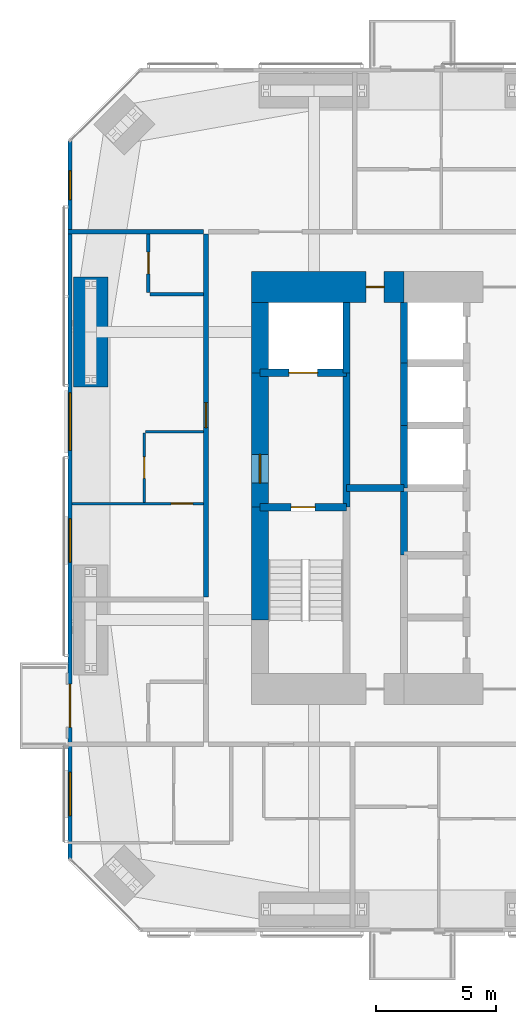
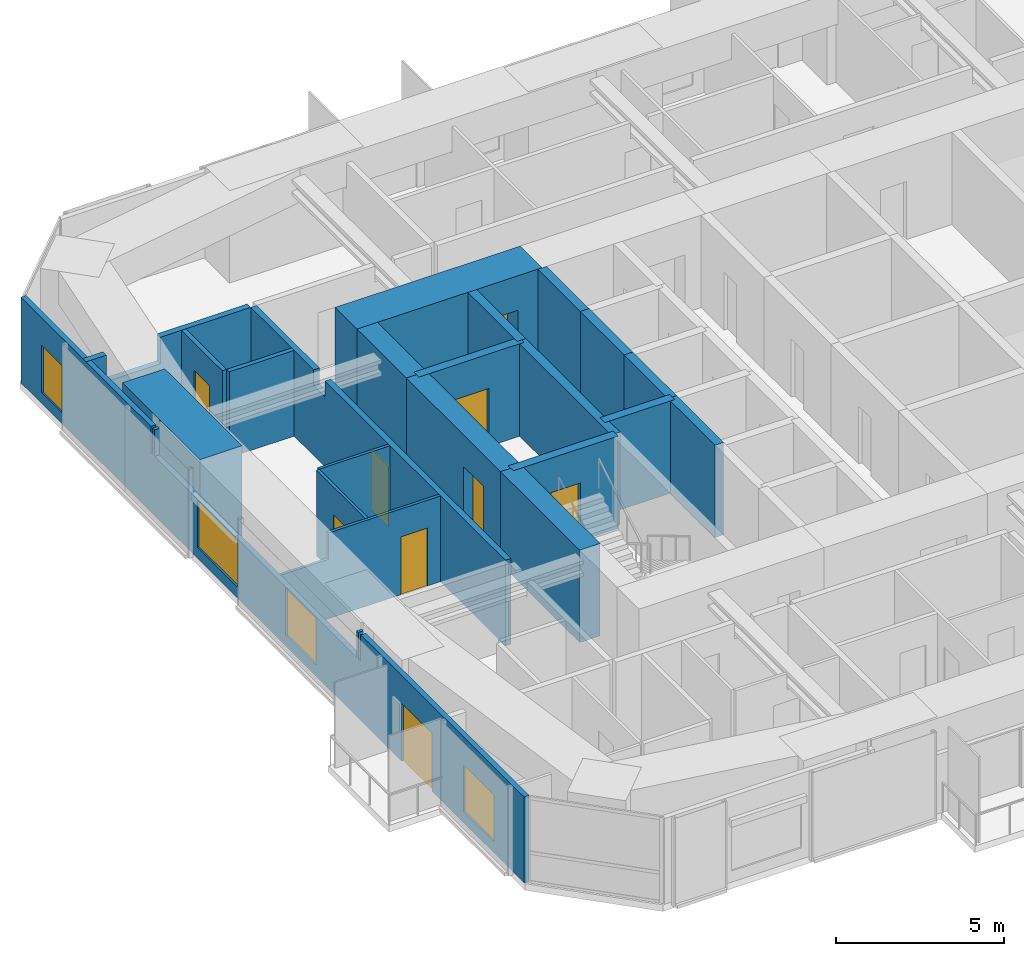
# One storey, part 17 of 22: 22 walls, 9 doors, 4 windows, 13 openings.
"""IFC4 building model written with IfcOpenShell, lengths in metres."""

import ifcopenshell
import ifcopenshell.guid

model = None  # the IFC model being written
_history = None  # IfcOwnerHistory: only IFC2X3 demands one
_inside = {}  # id of a spatial element -> (the spatial element, [elements in it])
_under = {}  # id of a project, library or spatial element -> (it, [spatial elements below it])
_declared = {}  # id of a project -> (the project, [libraries it declares])
_typed = {}  # id of a type object -> (the type object, [elements of that type])
_made_of = {}  # id of a material, layer set ... -> (it, [elements and type objects made of it])


def new_model(schema):
    """Start an empty IFC model of exactly this schema.

    Asked for "IFC4X3", IfcOpenShell would pick the latest addendum, in which some entities
    have other attributes; the version numbers below select the first issue.
    IFC2X3 requires an IfcOwnerHistory on every rooted entity: one is made here for all.
    """
    global model, _history
    if schema == "IFC4X3":
        model = ifcopenshell.file(schema_version=(4, 3, 0, 0))
    else:
        model = ifcopenshell.file(schema=schema)
    _inside.clear()
    _under.clear()
    _declared.clear()
    _typed.clear()
    _made_of.clear()
    _history = None
    if model.schema == "IFC2X3":
        org = make("IfcOrganization", Name="unknown")
        user = make(
            "IfcPersonAndOrganization",
            ThePerson=make("IfcPerson", FamilyName="unknown"),
            TheOrganization=org,
        )
        app = make(
            "IfcApplication",
            ApplicationDeveloper=org,
            Version="unknown",
            ApplicationFullName="unknown",
            ApplicationIdentifier="unknown",
        )
        _history = make(
            "IfcOwnerHistory",
            OwningUser=user,
            OwningApplication=app,
            ChangeAction="ADDED",
            CreationDate=0,
        )
    return model


def make(cls, **values):
    """One entity of the class cls with the attributes given. An attribute that is None is left unset."""
    return model.create_entity(
        cls, **{name: value for name, value in values.items() if value is not None}
    )


def rooted(cls, **values):
    """An entity with a GlobalId (a new one), such as an element, a storey or a relation."""
    return make(cls, GlobalId=ifcopenshell.guid.new(), OwnerHistory=_history, **values)


def si_unit(unit_type, name, prefix=None):
    """IfcSIUnit, for example si_unit("LENGTHUNIT", "METRE", prefix="MILLI")."""
    return make("IfcSIUnit", UnitType=unit_type, Prefix=prefix, Name=name)


def assignment(units):
    """IfcUnitAssignment: the units of a project."""
    return None if units is None else make("IfcUnitAssignment", Units=units)


def point(xyz):
    """IfcCartesianPoint."""
    return None if xyz is None else make("IfcCartesianPoint", Coordinates=xyz)


def direction(xyz):
    """IfcDirection."""
    return None if xyz is None else make("IfcDirection", DirectionRatios=xyz)


def frame(location, z_axis=None, x_axis=None):
    """IfcAxis2Placement3D, a coordinate frame: its origin and axes. An axis left out is left unset."""
    return make(
        "IfcAxis2Placement3D",
        Location=point(location),
        Axis=direction(z_axis),
        RefDirection=direction(x_axis),
    )


def frame_2d(location, x_axis=None):
    """IfcAxis2Placement2D, a coordinate frame in the plane: its origin and x axis."""
    return make(
        "IfcAxis2Placement2D", Location=point(location), RefDirection=direction(x_axis)
    )


def origin():
    """The frame at (0, 0, 0) with its axes left unset."""
    return frame((0.0, 0.0, 0.0))


def place(relative_to, where):
    """IfcLocalPlacement: puts the frame where relative to a parent placement (None: the world)."""
    return make(
        "IfcLocalPlacement", PlacementRelTo=relative_to, RelativePlacement=where
    )


def context(
    kind, dimensions, precision=None, world=None, true_north=None, identifier=None
):
    """IfcGeometricRepresentationContext, for example the 3D "Model" context."""
    return make(
        "IfcGeometricRepresentationContext",
        ContextIdentifier=identifier,
        ContextType=kind,
        CoordinateSpaceDimension=dimensions,
        Precision=precision,
        WorldCoordinateSystem=world,
        TrueNorth=true_north,
    )


def subcontext(parent, identifier, kind, view, scale=None):
    """IfcGeometricRepresentationSubContext, for example "Body" below "Model"."""
    return make(
        "IfcGeometricRepresentationSubContext",
        ContextIdentifier=identifier,
        ContextType=kind,
        ParentContext=parent,
        TargetScale=scale,
        TargetView=view,
    )


def project(units=None, contexts=None):
    """IfcProject with its units and contexts."""
    return rooted(
        "IfcProject",
        Name="project",
        RepresentationContexts=contexts,
        UnitsInContext=assignment(units),
    )


def spatial(cls, under=None, at=None, **own):
    """A site, building, storey or space (cls), placed at a placement, below another one or the project."""
    s = rooted(cls, ObjectPlacement=at, **own)
    if under is not None:
        _under.setdefault(under.id(), (under, []))[1].append(s)
    return s


def polyline(points):
    """IfcPolyline through the points."""
    return make("IfcPolyline", Points=[point(p) for p in points])


def profile(cls, at=None, kind="AREA", **sizes):
    """A parametric profile (cls). Its sizes go by their IFC names, for example OverallWidth=200.0."""
    return make(cls, ProfileType=kind, Position=at, **sizes)


def rectangle(**sizes):
    """IfcRectangleProfileDef."""
    return profile("IfcRectangleProfileDef", **sizes)


def outline(outer, holes=None, kind="AREA"):
    """IfcArbitraryClosedProfileDef: a profile drawn as a closed curve; with holes, ...WithVoids."""
    if holes is None:
        return make("IfcArbitraryClosedProfileDef", ProfileType=kind, OuterCurve=outer)
    return make(
        "IfcArbitraryProfileDefWithVoids",
        ProfileType=kind,
        OuterCurve=outer,
        InnerCurves=holes,
    )


def extrude(swept, where, along, depth):
    """IfcExtrudedAreaSolid: the profile swept, set in the frame where, extruded along a direction by depth."""
    return make(
        "IfcExtrudedAreaSolid",
        SweptArea=swept,
        Position=where,
        ExtrudedDirection=direction(along),
        Depth=depth,
    )


def shape(context_of_items, identifier, shape_type, items):
    """IfcShapeRepresentation: the items that make up one representation, for example the "Body"."""
    return make(
        "IfcShapeRepresentation",
        ContextOfItems=context_of_items,
        RepresentationIdentifier=identifier,
        RepresentationType=shape_type,
        Items=items,
    )


def material(Name=None, Category=None):
    """IfcMaterial."""
    return make("IfcMaterial", Name=Name, Category=Category)


def layer(
    of_material, thickness, ventilated=None, Name=None, Category=None, Priority=None
):
    """IfcMaterialLayer: one layer of a wall or slab, of a material (None: an air gap)."""
    return make(
        "IfcMaterialLayer",
        Material=of_material,
        LayerThickness=thickness,
        IsVentilated=ventilated,
        Name=Name,
        Category=Category,
        Priority=Priority,
    )


def layer_set(layers, Name=None):
    """IfcMaterialLayerSet."""
    return make("IfcMaterialLayerSet", MaterialLayers=layers, LayerSetName=Name)


def constituent(of_material, Name=None, Category=None, fraction=None):
    """IfcMaterialConstituent: one of the materials an element consists of."""
    return make(
        "IfcMaterialConstituent",
        Name=Name,
        Material=of_material,
        Fraction=fraction,
        Category=Category,
    )


def constituent_set(constituents=None, Name=None):
    """IfcMaterialConstituentSet."""
    return make(
        "IfcMaterialConstituentSet", Name=Name, MaterialConstituents=constituents
    )


def made_of(thing, what):
    """Note that an element or type object is made of a material, layer set ...; save() writes the relation."""
    if what is not None:
        _made_of.setdefault(what.id(), (what, []))[1].append(thing)
    return thing


def type_object(cls, material=None, **own):
    """A type object (cls), such as IfcWallType, which elements share."""
    return made_of(rooted(cls, **own), material)


def element(
    cls,
    number,
    at=None,
    inside=None,
    cuts=None,
    type_object=None,
    material=None,
    context=None,
    identifier="Body",
    shape_type=None,
    held_by="IfcProductDefinitionShape",
    body=None,
    shapes=None,
    **own,
):
    """One element of the class cls, such as IfcWall. Its Tag is "e" and its number.

    at: its placement. inside: the storey or other place that contains it. cuts: it is an
    opening in that element (IfcRelVoidsElement). A single representation is given by context,
    identifier, shape_type and body (its items); several are given by shapes. held_by: the class
    of the entity that holds the representations. save() writes the other relations.
    """
    e = rooted(cls, Tag="e%d" % number, ObjectPlacement=at, **own)
    if body is not None:
        shapes = [shape(context, identifier, shape_type, body)]
    if shapes is not None:
        e.Representation = make(held_by, Representations=shapes)
    if inside is not None:
        _inside.setdefault(inside.id(), (inside, []))[1].append(e)
    if cuts is not None:
        rooted(
            "IfcRelVoidsElement", RelatingBuildingElement=cuts, RelatedOpeningElement=e
        )
    if type_object is not None:
        _typed.setdefault(type_object.id(), (type_object, []))[1].append(e)
    return made_of(e, material)


def fill(opening, filler):
    """IfcRelFillsElement: the door or window that sits in an opening."""
    return rooted(
        "IfcRelFillsElement",
        RelatingOpeningElement=opening,
        RelatedBuildingElement=filler,
    )


def aggregate(whole, parts):
    """IfcRelAggregates: a whole, such as a stair, and the parts it consists of."""
    return rooted("IfcRelAggregates", RelatingObject=whole, RelatedObjects=parts)


def save(model, path):
    """Write the relations noted so far, then the file.

    IfcRelAggregates (storeys below a building ...), IfcRelContainedInSpatialStructure (elements
    in a storey), IfcRelDefinesByType, IfcRelAssociatesMaterial and IfcRelDeclares: one each for
    every whole, place, type object, material and project.
    """
    for whole, parts in _under.values():
        aggregate(whole, parts)
    for where, things in _inside.values():
        rooted(
            "IfcRelContainedInSpatialStructure",
            RelatedElements=things,
            RelatingStructure=where,
        )
    for kind, things in _typed.values():
        rooted("IfcRelDefinesByType", RelatedObjects=things, RelatingType=kind)
    for what, things in _made_of.values():
        rooted("IfcRelAssociatesMaterial", RelatedObjects=things, RelatingMaterial=what)
    for by, libraries in _declared.values():
        rooted("IfcRelDeclares", RelatingContext=by, RelatedDefinitions=libraries)
    model.write(path)


model = new_model("IFC4")

# Units and contexts
model_context = context("Model", 3, precision=1e-05, world=origin(), true_north=direction((0.0, 1.0)))
body_context = subcontext(model_context, "Body", "Model", "MODEL_VIEW")
ifc_project = project(units=[si_unit("LENGTHUNIT", "METRE"), si_unit("AREAUNIT", "SQUARE_METRE"), si_unit("VOLUMEUNIT", "CUBIC_METRE"), si_unit("PLANEANGLEUNIT", "RADIAN"), si_unit("MASSUNIT", "GRAM", prefix="KILO")], contexts=[model_context])

# Site, building, storey
site_placement = place(None, origin())
site = spatial("IfcSite", under=ifc_project, at=site_placement, CompositionType="ELEMENT")
building_placement = place(site_placement, origin())
building = spatial("IfcBuilding", under=site, at=building_placement, Name="Jalousie Tower", CompositionType="ELEMENT")
storey_placement = place(building_placement, frame((0.0, 0.0, 174.449951171875)))
storey = spatial("IfcBuildingStorey", under=building, at=storey_placement, Name="L47", CompositionType="ELEMENT", Elevation=174.449951171875)

# Wall, opening, door
ifc_material_1 = material(Name="Concrete block ASTM C90", Category="concrete")
ifc_constituent_1 = constituent(ifc_material_1, Name="Body")
ifc_material_2 = material(Name="Render")
ifc_constituent_2 = constituent(ifc_material_2, Name="Finish")
ifc_constituent_set_1 = constituent_set(constituents=[ifc_constituent_1, ifc_constituent_2])
wall_type_1 = type_object("IfcWallType", Name="BATHROOM WALL 150", PredefinedType="PLUMBINGWALL", material=ifc_constituent_set_1)
wall_1_placement = place(storey_placement, frame((15.35009765625, 26.64990234375, 0.0), z_axis=(0.0, 0.0, 1.0), x_axis=(0.0, 1.0, 0.0)))
wall_1 = element("IfcWall", 1, at=wall_1_placement, inside=storey, type_object=wall_type_1, Name="Bathroom Wall 150 L47", PredefinedType="PLUMBINGWALL", context=body_context, shape_type="SweptSolid", body=[
    extrude(rectangle(XDim=2.425048828125, YDim=0.14990234375, at=frame_2d((1.21240234375, 0.0))), origin(), (0.0, 0.0, 1.0), 3.110107421875),
])
opening_1_placement = place(wall_1_placement, frame((0.77490234375, 0.0, 0.0)))
opening_1 = element("IfcOpeningElement", 2, at=opening_1_placement, cuts=wall_1, Name="Opening D3", PredefinedType="OPENING", context=body_context, shape_type="SweptSolid", body=[
    extrude(rectangle(XDim=0.89990234375, YDim=2.10009765625, at=frame_2d((0.449951171875, 1.050048828125))), frame((0.0, 0.0849609375, 0.0), z_axis=(0.0, -1.0, 0.0), x_axis=(1.0, 0.0, 0.0)), (0.0, 0.0, 1.0), 0.169921875),
])
ifc_material_3 = material(Name="Timber door", Category="wood")
door_type_1 = type_object("IfcDoorType", Name="BATHROOM DOOR 900", OperationType="SINGLE_SWING_LEFT", PredefinedType="DOOR", material=ifc_material_3)
door_1_placement = place(opening_1_placement, frame((0.89990234375, 0.0, 0.0), z_axis=(0.0, 0.0, 1.0), x_axis=(-1.0, 0.0, 0.0)))
door_1 = element("IfcDoor", 3, at=door_1_placement, inside=storey, type_object=door_type_1, Name="Apartment 4706 bathroom door", OperationType="SINGLE_SWING_LEFT", OverallHeight=2.10009765625, OverallWidth=0.89990234375, PredefinedType="DOOR", context=body_context, shape_type="SweptSolid", body=[
    extrude(rectangle(XDim=0.89990234375, YDim=2.10009765625, at=frame_2d((0.449951171875, 1.050048828125))), frame((0.0, 0.02490234375, 0.0), z_axis=(0.0, -1.0, 0.0), x_axis=(1.0, 0.0, 0.0)), (0.0, 0.0, 1.0), 0.050048828125),
])
fill(opening_1, door_1)

# Wall
wall_2_placement = place(storey_placement, frame((15.425048828125, 26.574951171875, 0.0), z_axis=(0.0, 0.0, 1.0), x_axis=(1.0, 0.0, 0.0)))
element("IfcWall", 4, at=wall_2_placement, inside=storey, type_object=wall_type_1, Name="Bathroom Wall 150 L47", PredefinedType="PLUMBINGWALL", context=body_context, shape_type="SweptSolid", body=[
    extrude(rectangle(XDim=2.224853515625, YDim=0.14990234375, at=frame_2d((1.1123046875, 0.0))), origin(), (0.0, 0.0, 1.0), 3.110107421875),
])

# Wall, opening, door
ifc_material_4 = material(Name="Concrete f'c 120 MPa", Category="concrete")
ifc_layer_1 = layer(ifc_material_4, 1.300048828125)
ifc_layer_set_1 = layer_set([ifc_layer_1], Name="Concrete f'c 120 MPa")
wall_type_2 = type_object("IfcWallType", Name="CORE WALL 1300", PredefinedType="SHEAR", material=ifc_layer_set_1)
wall_3_placement = place(storey_placement, frame((26.0, 26.875, 0.0), z_axis=(0.0, 0.0, 1.0), x_axis=(-1.0, 0.0, 0.0)))
wall_3 = element("IfcWall", 5, at=wall_3_placement, inside=storey, type_object=wall_type_2, Name="Core wall ND L47", PredefinedType="SHEAR", context=body_context, shape_type="SweptSolid", body=[
    extrude(rectangle(XDim=6.35009765625, YDim=1.300048828125, at=frame_2d((3.175048828125, 0.0))), origin(), (0.0, 0.0, 1.0), 3.35009765625),
])
opening_2_placement = place(wall_3_placement, frame((0.824951171875, 0.0, 0.0)))
opening_2 = element("IfcOpeningElement", 6, at=opening_2_placement, cuts=wall_3, Name="Opening D16", PredefinedType="OPENING", context=body_context, shape_type="SweptSolid", body=[
    extrude(rectangle(XDim=0.75, YDim=2.10009765625, at=frame_2d((0.375, 1.050048828125))), frame((0.0, 0.659912109375, 0.0), z_axis=(0.0, -1.0, 0.0), x_axis=(1.0, 0.0, 0.0)), (0.0, 0.0, 1.0), 1.320068359375),
])
ifc_material_5 = material(Name="Steel fire door", Category="steel")
door_type_2 = type_object("IfcDoorType", Name="RISER DOOR 750", OperationType="SINGLE_SWING_LEFT", PredefinedType="DOOR", material=ifc_material_5)
door_2_placement = place(opening_2_placement, origin())
door_2 = element("IfcDoor", 7, at=door_2_placement, inside=storey, type_object=door_type_2, Name="North riser door", OperationType="SINGLE_SWING_RIGHT", OverallHeight=2.10009765625, OverallWidth=0.75, PredefinedType="DOOR", context=body_context, shape_type="SweptSolid", body=[
    extrude(rectangle(XDim=0.75, YDim=2.10009765625, at=frame_2d((0.375, 1.050048828125))), frame((0.0, 0.02490234375, 0.0), z_axis=(0.0, -1.0, 0.0), x_axis=(1.0, 0.0, 0.0)), (0.0, 0.0, 1.0), 0.050048828125),
])
fill(opening_2, door_2)

# Walls
ifc_material_6 = material(Name="Concrete f'c 120 MPa", Category="concrete")
ifc_layer_2 = layer(ifc_material_6, 0.300048828125)
ifc_layer_set_2 = layer_set([ifc_layer_2], Name="Concrete f'c 120 MPa")
wall_type_3 = type_object("IfcWallType", Name="CORE WALL 300", PredefinedType="SHEAR", material=ifc_layer_set_2)
wall_4_placement = place(storey_placement, frame((23.60009765625, 17.699951171875, 0.0), z_axis=(0.0, 0.0, 1.0), x_axis=(0.0, 1.0, 0.0)))
element("IfcWall", 8, at=wall_4_placement, inside=storey, type_object=wall_type_3, Name="Core wall X23.6B L47", PredefinedType="SHEAR", context=body_context, shape_type="SweptSolid", body=[
    extrude(rectangle(XDim=5.60009765625, YDim=0.300048828125, at=frame_2d((2.800048828125, 0.0))), origin(), (0.0, 0.0, 1.0), 3.35009765625),
])
wall_5_placement = place(storey_placement, frame((23.60009765625, 23.300048828125, 0.0), z_axis=(0.0, 0.0, 1.0), x_axis=(0.0, 1.0, 0.0)))
element("IfcWall", 9, at=wall_5_placement, inside=storey, type_object=wall_type_3, Name="Core wall X23.6C L47", PredefinedType="SHEAR", context=body_context, shape_type="SweptSolid", body=[
    extrude(rectangle(XDim=2.925048828125, YDim=0.300048828125, at=frame_2d((1.46240234375, 0.0))), origin(), (0.0, 0.0, 1.0), 3.35009765625),
])
wall_6_placement = place(storey_placement, frame((26.0, 15.699951171875, 0.0), z_axis=(0.0, 0.0, 1.0), x_axis=(0.0, 1.0, 0.0)))
element("IfcWall", 10, at=wall_6_placement, inside=storey, type_object=wall_type_3, Name="Core wall X26C L47", PredefinedType="SHEAR", context=body_context, shape_type="SweptSolid", body=[
    extrude(rectangle(XDim=2.800048828125, YDim=0.300048828125, at=frame_2d((1.39990234375, 0.0))), origin(), (0.0, 0.0, 1.0), 3.35009765625),
])
wall_7_placement = place(storey_placement, frame((26.0, 18.5, 0.0), z_axis=(0.0, 0.0, 1.0), x_axis=(0.0, 1.0, 0.0)))
element("IfcWall", 11, at=wall_7_placement, inside=storey, type_object=wall_type_3, Name="Core wall X26D L47", PredefinedType="SHEAR", context=body_context, shape_type="SweptSolid", body=[
    extrude(rectangle(XDim=2.60009765625, YDim=0.300048828125, at=frame_2d((1.300048828125, 0.0))), origin(), (0.0, 0.0, 1.0), 3.35009765625),
])
wall_8_placement = place(storey_placement, frame((26.0, 21.10009765625, 0.0), z_axis=(0.0, 0.0, 1.0), x_axis=(0.0, 1.0, 0.0)))
element("IfcWall", 12, at=wall_8_placement, inside=storey, type_object=wall_type_3, Name="Core wall X26E L47", PredefinedType="SHEAR", context=body_context, shape_type="SweptSolid", body=[
    extrude(rectangle(XDim=2.599853515625, YDim=0.300048828125, at=frame_2d((1.2998046875, 0.0))), origin(), (0.0, 0.0, 1.0), 3.35009765625),
])
wall_9_placement = place(storey_placement, frame((26.0, 23.699951171875, 0.0), z_axis=(0.0, 0.0, 1.0), x_axis=(0.0, 1.0, 0.0)))
element("IfcWall", 13, at=wall_9_placement, inside=storey, type_object=wall_type_3, Name="Core wall X26F L47", PredefinedType="SHEAR", context=body_context, shape_type="SweptSolid", body=[
    extrude(rectangle(XDim=2.525146484375, YDim=0.300048828125, at=frame_2d((1.2626953125, 0.0))), origin(), (0.0, 0.0, 1.0), 3.35009765625),
])

# Wall, opening, door
wall_10_placement = place(storey_placement, frame((20.0, 17.699951171875, 0.0), z_axis=(0.0, 0.0, 1.0), x_axis=(1.0, 0.0, 0.0)))
wall_10 = element("IfcWall", 14, at=wall_10_placement, inside=storey, type_object=wall_type_3, Name="Core wall Y20-17.7 L47", PredefinedType="SHEAR", context=body_context, shape_type="SweptSolid", body=[
    extrude(rectangle(XDim=3.60009765625, YDim=0.300048828125, at=frame_2d((1.800048828125, 0.0))), origin(), (0.0, 0.0, 1.0), 3.35009765625),
])
opening_3_placement = place(wall_10_placement, frame((1.300048828125, 0.0, 0.0)))
opening_3 = element("IfcOpeningElement", 15, at=opening_3_placement, cuts=wall_10, Name="Opening D10", PredefinedType="OPENING", context=body_context, shape_type="SweptSolid", body=[
    extrude(rectangle(XDim=1.0, YDim=2.10009765625, at=frame_2d((0.5, 1.050048828125))), frame((0.0, 0.159912109375, 0.0), z_axis=(0.0, -1.0, 0.0), x_axis=(1.0, 0.0, 0.0)), (0.0, 0.0, 1.0), 0.320068359375),
])
ifc_material_7 = material(Name="Steel fire door", Category="steel")
door_type_3 = type_object("IfcDoorType", Name="STAIR DOOR 1000", OperationType="SINGLE_SWING_LEFT", PredefinedType="DOOR", material=ifc_material_7)
door_3_placement = place(opening_3_placement, frame((1.0, 0.0, 0.0), z_axis=(0.0, 0.0, 1.0), x_axis=(-1.0, 0.0, 0.0)))
door_3 = element("IfcDoor", 16, at=door_3_placement, inside=storey, type_object=door_type_3, Name="Exit stair A door", OperationType="SINGLE_SWING_RIGHT", OverallHeight=2.10009765625, OverallWidth=1.0, PredefinedType="DOOR", context=body_context, shape_type="SweptSolid", body=[
    extrude(rectangle(XDim=1.0, YDim=2.10009765625, at=frame_2d((0.5, 1.050048828125))), frame((0.0, 0.02490234375, 0.0), z_axis=(0.0, -1.0, 0.0), x_axis=(1.0, 0.0, 0.0)), (0.0, 0.0, 1.0), 0.050048828125),
])
fill(opening_3, door_3)

wall_11_placement = place(storey_placement, frame((20.0, 23.300048828125, 0.0), z_axis=(0.0, 0.0, 1.0), x_axis=(1.0, 0.0, 0.0)))
wall_11 = element("IfcWall", 17, at=wall_11_placement, inside=storey, type_object=wall_type_3, Name="Core wall Y20-23.3 L47", PredefinedType="SHEAR", context=body_context, shape_type="SweptSolid", body=[
    extrude(rectangle(XDim=3.60009765625, YDim=0.300048828125, at=frame_2d((1.800048828125, 0.0))), origin(), (0.0, 0.0, 1.0), 3.35009765625),
])
opening_4_placement = place(wall_11_placement, frame((1.199951171875, 0.0, 0.0)))
opening_4 = element("IfcOpeningElement", 18, at=opening_4_placement, cuts=wall_11, Name="Opening LD2", PredefinedType="OPENING", context=body_context, shape_type="SweptSolid", body=[
    extrude(rectangle(XDim=1.199951171875, YDim=2.10009765625, at=frame_2d((0.60009765625, 1.050048828125))), frame((0.0, 0.159912109375, 0.0), z_axis=(0.0, -1.0, 0.0), x_axis=(1.0, 0.0, 0.0)), (0.0, 0.0, 1.0), 0.320068359375),
])
ifc_material_8 = material(Name="Steel lift landing door", Category="steel")
door_type_4 = type_object("IfcDoorType", Name="LIFT LANDING DOOR 1200", OperationType="SLIDING_TO_LEFT", PredefinedType="DOOR", material=ifc_material_8)
door_4_placement = place(opening_4_placement, origin())
door_4 = element("IfcDoor", 19, at=door_4_placement, inside=storey, type_object=door_type_4, Name="Lift F1 landing door", OperationType="SLIDING_TO_LEFT", OverallHeight=2.10009765625, OverallWidth=1.199951171875, PredefinedType="DOOR", context=body_context, shape_type="SweptSolid", body=[
    extrude(rectangle(XDim=1.199951171875, YDim=2.10009765625, at=frame_2d((0.60009765625, 1.050048828125))), frame((0.0, 0.02490234375, 0.0), z_axis=(0.0, -1.0, 0.0), x_axis=(1.0, 0.0, 0.0)), (0.0, 0.0, 1.0), 0.050048828125),
])
fill(opening_4, door_4)

# Walls
wall_12_placement = place(storey_placement, frame((23.60009765625, 18.5, 0.0), z_axis=(0.0, 0.0, 1.0), x_axis=(1.0, 0.0, 0.0)))
element("IfcWall", 20, at=wall_12_placement, inside=storey, type_object=wall_type_3, Name="Core wall Y23.6-18.5 L47", PredefinedType="SHEAR", context=body_context, shape_type="SweptSolid", body=[
    extrude(rectangle(XDim=2.39990234375, YDim=0.300048828125, at=frame_2d((1.199951171875, 0.0))), origin(), (0.0, 0.0, 1.0), 3.35009765625),
])
ifc_material_9 = material(Name="Concrete f'c 120 MPa", Category="concrete")
ifc_layer_3 = layer(ifc_material_9, 0.699951171875)
ifc_layer_set_3 = layer_set([ifc_layer_3], Name="Concrete f'c 120 MPa")
wall_type_4 = type_object("IfcWallType", Name="CORE WALL 700", PredefinedType="SHEAR", material=ifc_layer_set_3)
wall_13_placement = place(storey_placement, frame((20.0, 26.22509765625, 0.0), z_axis=(0.0, 0.0, 1.0), x_axis=(0.0, -1.0, 0.0)))
element("IfcWall", 21, at=wall_13_placement, inside=storey, type_object=wall_type_4, Name="Core wall WA L47", PredefinedType="SHEAR", context=body_context, shape_type="SweptSolid", body=[
    extrude(rectangle(XDim=2.925048828125, YDim=0.699951171875, at=frame_2d((1.46240234375, 0.0))), origin(), (0.0, 0.0, 1.0), 3.35009765625),
])

# Wall, opening, door
wall_14_placement = place(storey_placement, frame((20.0, 23.300048828125, 0.0), z_axis=(0.0, 0.0, 1.0), x_axis=(0.0, -1.0, 0.0)))
wall_14 = element("IfcWall", 22, at=wall_14_placement, inside=storey, type_object=wall_type_4, Name="Core wall WB L47", PredefinedType="SHEAR", context=body_context, shape_type="SweptSolid", body=[
    extrude(rectangle(XDim=5.60009765625, YDim=0.699951171875, at=frame_2d((2.800048828125, 0.0))), origin(), (0.0, 0.0, 1.0), 3.35009765625),
])
opening_5_placement = place(wall_14_placement, frame((3.39990234375, 0.0, 0.0)))
opening_5 = element("IfcOpeningElement", 23, at=opening_5_placement, cuts=wall_14, Name="Opening D11", PredefinedType="OPENING", context=body_context, shape_type="SweptSolid", body=[
    extrude(rectangle(XDim=1.199951171875, YDim=2.199951171875, at=frame_2d((0.60009765625, 1.10009765625))), frame((0.0, 0.35986328125, 0.0), z_axis=(0.0, -1.0, 0.0), x_axis=(1.0, 0.0, 0.0)), (0.0, 0.0, 1.0), 0.719970703125),
])
ifc_material_10 = material(Name="Steel fire door", Category="steel")
door_type_5 = type_object("IfcDoorType", Name="FIRE DOOR 1200", OperationType="SINGLE_SWING_LEFT", PredefinedType="DOOR", material=ifc_material_10)
door_5_placement = place(opening_5_placement, origin())
door_5 = element("IfcDoor", 24, at=door_5_placement, inside=storey, type_object=door_type_5, Name="Fire-fighting lobby A door", OperationType="SINGLE_SWING_RIGHT", OverallHeight=2.199951171875, OverallWidth=1.199951171875, PredefinedType="DOOR", context=body_context, shape_type="SweptSolid", body=[
    extrude(rectangle(XDim=1.199951171875, YDim=2.199951171875, at=frame_2d((0.60009765625, 1.10009765625))), frame((0.0, 0.02490234375, 0.0), z_axis=(0.0, -1.0, 0.0), x_axis=(1.0, 0.0, 0.0)), (0.0, 0.0, 1.0), 0.050048828125),
])
fill(opening_5, door_5)

# Wall
wall_15_placement = place(storey_placement, frame((20.0, 17.699951171875, 0.0), z_axis=(0.0, 0.0, 1.0), x_axis=(0.0, -1.0, 0.0)))
element("IfcWall", 25, at=wall_15_placement, inside=storey, type_object=wall_type_4, Name="Core wall WC L47", PredefinedType="SHEAR", context=body_context, shape_type="SweptSolid", body=[
    extrude(rectangle(XDim=4.699951171875, YDim=0.699951171875, at=frame_2d((2.35009765625, 0.0))), origin(), (0.0, 0.0, 1.0), 3.35009765625),
])

# Wall, opening, door
ifc_material_11 = material(Name="Concrete block ASTM C90", Category="concrete")
ifc_constituent_3 = constituent(ifc_material_11, Name="Body")
ifc_material_12 = material(Name="Render")
ifc_constituent_4 = constituent(ifc_material_12, Name="Finish")
ifc_constituent_set_2 = constituent_set(constituents=[ifc_constituent_3, ifc_constituent_4])
wall_type_5 = type_object("IfcWallType", Name="CORRIDOR WALL 200", PredefinedType="PARTITIONING", material=ifc_constituent_set_2)
wall_16_placement = place(storey_placement, frame((17.75, 13.949951171875, 0.0), z_axis=(0.0, 0.0, 1.0), x_axis=(0.0, 1.0, 0.0)))
wall_16 = element("IfcWall", 26, at=wall_16_placement, inside=storey, type_object=wall_type_5, Name="Corridor Wall 200 L47", PredefinedType="PARTITIONING", context=body_context, shape_type="SweptSolid", body=[
    extrude(outline(polyline([(0.0, 0.0), (15.125, 0.0), (15.125, 3.110107421875), (11.387451171875, 3.110107421875), (11.387451171875, 2.541015625), (10.712646484375, 2.541015625), (10.712646484375, 3.110107421875), (0.0, 3.110107421875), (0.0, 0.0)])), frame((0.0, 0.10009765625, 0.0), z_axis=(0.0, -1.0, 0.0), x_axis=(1.0, 0.0, 0.0)), (0.0, 0.0, 1.0), 0.199951171875),
])
opening_6_placement = place(wall_16_placement, frame((7.0625, 0.0, 0.0)))
opening_6 = element("IfcOpeningElement", 27, at=opening_6_placement, cuts=wall_16, Name="Opening D1", PredefinedType="OPENING", context=body_context, shape_type="SweptSolid", body=[
    extrude(rectangle(XDim=1.050048828125, YDim=2.199951171875, at=frame_2d((0.52490234375, 1.10009765625))), frame((0.0, 0.10986328125, 0.0), z_axis=(0.0, -1.0, 0.0), x_axis=(1.0, 0.0, 0.0)), (0.0, 0.0, 1.0), 0.219970703125),
])
ifc_material_13 = material(Name="Timber fire door", Category="wood")
door_type_6 = type_object("IfcDoorType", Name="APARTMENT ENTRANCE DOOR 1050", OperationType="SINGLE_SWING_LEFT", PredefinedType="DOOR", material=ifc_material_13)
door_6_placement = place(opening_6_placement, origin())
door_6 = element("IfcDoor", 28, at=door_6_placement, inside=storey, type_object=door_type_6, Name="Apartment 4706 entrance", OperationType="SINGLE_SWING_LEFT", OverallHeight=2.199951171875, OverallWidth=1.050048828125, PredefinedType="DOOR", context=body_context, shape_type="SweptSolid", body=[
    extrude(rectangle(XDim=1.050048828125, YDim=2.199951171875, at=frame_2d((0.52490234375, 1.10009765625))), frame((0.0, 0.02490234375, 0.0), z_axis=(0.0, -1.0, 0.0), x_axis=(1.0, 0.0, 0.0)), (0.0, 0.0, 1.0), 0.050048828125),
])
fill(opening_6, door_6)

# Wall, openings, door, windows
ifc_material_14 = material(Name="Concrete f'c 40 MPa", Category="concrete")
ifc_constituent_5 = constituent(ifc_material_14, Name="Body")
ifc_material_15 = material(Name="Render, pastel lemon")
ifc_constituent_6 = constituent(ifc_material_15, Name="Finish")
ifc_constituent_set_3 = constituent_set(constituents=[ifc_constituent_5, ifc_constituent_6])
wall_type_6 = type_object("IfcWallType", Name="EXTERNAL WALL 175 LEMON RENDER", PredefinedType="SOLIDWALL", material=ifc_constituent_set_3)
wall_17_placement = place(storey_placement, frame((12.08740234375, 32.94873046875, 0.0), z_axis=(0.0, 0.0, 1.0), x_axis=(0.0, -1.0, 0.0)))
wall_17 = element("IfcWall", 29, at=wall_17_placement, inside=storey, type_object=wall_type_6, Name="External Wall 175 Lemon Render L47", PredefinedType="SOLIDWALL", context=body_context, shape_type="SweptSolid", body=[
    extrude(outline(polyline([(0.0, 0.0), (29.8974609375, 0.0), (29.8974609375, 3.110107421875), (20.19140625, 3.110107421875), (20.19140625, 2.150146484375), (20.050537109375, 2.150146484375), (20.050537109375, 3.110107421875), (19.94873046875, 3.110107421875), (19.94873046875, 2.150146484375), (7.94873046875, 2.150146484375), (7.94873046875, 3.110107421875), (7.823486328125, 3.110107421875), (7.823486328125, 2.150146484375), (7.729736328125, 2.150146484375), (7.729736328125, 3.110107421875), (0.0, 3.110107421875), (0.0, 0.0)])), frame((0.0, 0.08740234375, 0.0), z_axis=(0.0, -1.0, 0.0), x_axis=(1.0, 0.0, 0.0)), (0.0, 0.0, 1.0), 0.175048828125),
])
opening_7_placement = place(wall_17_placement, frame((1.23681640625, 0.0, 0.39990234375)))
opening_7 = element("IfcOpeningElement", 30, at=opening_7_placement, cuts=wall_17, Name="Opening W-COR170", PredefinedType="OPENING", context=body_context, shape_type="SweptSolid", body=[
    extrude(rectangle(XDim=1.199951171875, YDim=1.699951171875, at=frame_2d((0.60009765625, 0.85009765625))), frame((0.0, 0.097412109375, 0.0), z_axis=(0.0, -1.0, 0.0), x_axis=(1.0, 0.0, 0.0)), (0.0, 0.0, 1.0), 0.195068359375),
])
opening_8_placement = place(wall_17_placement, frame((10.48193359375, 0.0, 0.39990234375)))
opening_8 = element("IfcOpeningElement", 31, at=opening_8_placement, cuts=wall_17, Name="Opening W-LIV170", PredefinedType="OPENING", context=body_context, shape_type="SweptSolid", body=[
    extrude(rectangle(XDim=2.39990234375, YDim=1.699951171875, at=frame_2d((1.199951171875, 0.85009765625))), frame((0.0, 0.097412109375, 0.0), z_axis=(0.0, -1.0, 0.0), x_axis=(1.0, 0.0, 0.0)), (0.0, 0.0, 1.0), 0.195068359375),
])
opening_9_placement = place(wall_17_placement, frame((15.735107421875, 0.0, 0.39990234375)))
opening_9 = element("IfcOpeningElement", 32, at=opening_9_placement, cuts=wall_17, Name="Opening W-BED170", PredefinedType="OPENING", context=body_context, shape_type="SweptSolid", body=[
    extrude(rectangle(XDim=1.800048828125, YDim=1.699951171875, at=frame_2d((0.89990234375, 0.85009765625))), frame((0.0, 0.097412109375, 0.0), z_axis=(0.0, -1.0, 0.0), x_axis=(1.0, 0.0, 0.0)), (0.0, 0.0, 1.0), 0.195068359375),
])
opening_10_placement = place(wall_17_placement, frame((22.623779296875, 0.0, 0.0)))
opening_10 = element("IfcOpeningElement", 33, at=opening_10_placement, cuts=wall_17, Name="Opening D-BAL21", PredefinedType="OPENING", context=body_context, shape_type="SweptSolid", body=[
    extrude(rectangle(XDim=1.800048828125, YDim=2.10009765625, at=frame_2d((0.89990234375, 1.050048828125))), frame((0.0, 0.097412109375, 0.0), z_axis=(0.0, -1.0, 0.0), x_axis=(1.0, 0.0, 0.0)), (0.0, 0.0, 1.0), 0.195068359375),
])
opening_11_placement = place(wall_17_placement, frame((26.300537109375, 0.0, 0.39990234375)))
opening_11 = element("IfcOpeningElement", 34, at=opening_11_placement, cuts=wall_17, Name="Opening W-BED170", PredefinedType="OPENING", context=body_context, shape_type="SweptSolid", body=[
    extrude(rectangle(XDim=1.800048828125, YDim=1.699951171875, at=frame_2d((0.89990234375, 0.85009765625))), frame((0.0, 0.097412109375, 0.0), z_axis=(0.0, -1.0, 0.0), x_axis=(1.0, 0.0, 0.0)), (0.0, 0.0, 1.0), 0.195068359375),
])
ifc_material_16 = material(Name="Aluminium frame, impact-rated glazing", Category="aluminium")
door_type_7 = type_object("IfcDoorType", Name="BALCONY DOOR 1800x2100", OperationType="SLIDING_TO_LEFT", PredefinedType="DOOR", material=ifc_material_16)
door_7_placement = place(opening_10_placement, origin())
door_7 = element("IfcDoor", 35, at=door_7_placement, inside=storey, type_object=door_type_7, Name="Apartment 4705 studio kitchen, living and sleeping room balcony door", OperationType="SLIDING_TO_LEFT", OverallHeight=2.10009765625, OverallWidth=1.800048828125, PredefinedType="DOOR", context=body_context, shape_type="SweptSolid", body=[
    extrude(rectangle(XDim=1.800048828125, YDim=2.10009765625, at=frame_2d((0.89990234375, 1.050048828125))), frame((0.0, 0.02490234375, 0.0), z_axis=(0.0, -1.0, 0.0), x_axis=(1.0, 0.0, 0.0)), (0.0, 0.0, 1.0), 0.050048828125),
])
fill(opening_10, door_7)
ifc_material_17 = material(Name="Aluminium frame, impact-rated glazing", Category="aluminium")
window_type_1 = type_object("IfcWindowType", Name="WINDOW BED 1800x1700", PartitioningType="SINGLE_PANEL", PredefinedType="WINDOW", material=ifc_material_17)
window_1_placement = place(opening_9_placement, origin())
window_1 = element("IfcWindow", 36, at=window_1_placement, inside=storey, type_object=window_type_1, Name="Apartment 4706 bedroom 1 window", OverallHeight=1.699951171875, OverallWidth=1.800048828125, PartitioningType="SINGLE_PANEL", PredefinedType="WINDOW", context=body_context, shape_type="SweptSolid", body=[
    extrude(rectangle(XDim=1.800048828125, YDim=1.699951171875, at=frame_2d((0.89990234375, 0.85009765625))), frame((0.0, 0.030029296875, 0.0), z_axis=(0.0, -1.0, 0.0), x_axis=(1.0, 0.0, 0.0)), (0.0, 0.0, 1.0), 0.06005859375),
])
fill(opening_9, window_1)
window_2_placement = place(opening_11_placement, origin())
window_2 = element("IfcWindow", 37, at=window_2_placement, inside=storey, type_object=window_type_1, Name="Apartment 4701 bedroom 1 window", OverallHeight=1.699951171875, OverallWidth=1.800048828125, PartitioningType="SINGLE_PANEL", PredefinedType="WINDOW", context=body_context, shape_type="SweptSolid", body=[
    extrude(rectangle(XDim=1.800048828125, YDim=1.699951171875, at=frame_2d((0.89990234375, 0.85009765625))), frame((0.0, 0.030029296875, 0.0), z_axis=(0.0, -1.0, 0.0), x_axis=(1.0, 0.0, 0.0)), (0.0, 0.0, 1.0), 0.06005859375),
])
fill(opening_11, window_2)
ifc_material_18 = material(Name="Aluminium frame, impact-rated glazing", Category="aluminium")
window_type_2 = type_object("IfcWindowType", Name="WINDOW COR 1200x1700", PartitioningType="SINGLE_PANEL", PredefinedType="WINDOW", material=ifc_material_18)
window_3_placement = place(opening_7_placement, origin())
window_3 = element("IfcWindow", 38, at=window_3_placement, inside=storey, type_object=window_type_2, Name="Residents' lounge window", OverallHeight=1.699951171875, OverallWidth=1.199951171875, PartitioningType="SINGLE_PANEL", PredefinedType="WINDOW", context=body_context, shape_type="SweptSolid", body=[
    extrude(rectangle(XDim=1.199951171875, YDim=1.699951171875, at=frame_2d((0.60009765625, 0.85009765625))), frame((0.0, 0.030029296875, 0.0), z_axis=(0.0, -1.0, 0.0), x_axis=(1.0, 0.0, 0.0)), (0.0, 0.0, 1.0), 0.06005859375),
])
fill(opening_7, window_3)
ifc_material_19 = material(Name="Aluminium frame, impact-rated glazing", Category="aluminium")
window_type_3 = type_object("IfcWindowType", Name="WINDOW LIV 2400x1700", PartitioningType="DOUBLE_PANEL_VERTICAL", PredefinedType="WINDOW", material=ifc_material_19)
window_4_placement = place(opening_8_placement, origin())
window_4 = element("IfcWindow", 39, at=window_4_placement, inside=storey, type_object=window_type_3, Name="Apartment 4706 living and dining room window", OverallHeight=1.699951171875, OverallWidth=2.39990234375, PartitioningType="SINGLE_PANEL", PredefinedType="WINDOW", context=body_context, shape_type="SweptSolid", body=[
    extrude(rectangle(XDim=2.39990234375, YDim=1.699951171875, at=frame_2d((1.199951171875, 0.85009765625))), frame((0.0, 0.030029296875, 0.0), z_axis=(0.0, -1.0, 0.0), x_axis=(1.0, 0.0, 0.0)), (0.0, 0.0, 1.0), 0.06005859375),
])
fill(opening_8, window_4)

# Wall, opening, door
ifc_material_20 = material(Name="Gypsum board", Category="gypsum")
ifc_constituent_7 = constituent(ifc_material_20, Name="Body")
ifc_material_21 = material(Name="Light-gauge steel studs ASTM A653 SS Grade 33", Category="steel")
ifc_constituent_8 = constituent(ifc_material_21, Name="Framing")
ifc_constituent_set_4 = constituent_set(constituents=[ifc_constituent_7, ifc_constituent_8])
wall_type_7 = type_object("IfcWallType", Name="PARTITION 100", PredefinedType="PARTITIONING", material=ifc_constituent_set_4)
wall_18_placement = place(storey_placement, frame((12.175048828125, 17.85009765625, 0.0), z_axis=(0.0, 0.0, 1.0), x_axis=(1.0, 0.0, 0.0)))
wall_18 = element("IfcWall", 40, at=wall_18_placement, inside=storey, type_object=wall_type_7, Name="Partition 100 L47", PredefinedType="PARTITIONING", context=body_context, shape_type="SweptSolid", body=[
    extrude(outline(polyline([(0.0, 0.0), (5.474853515625, 0.0), (5.47509765625, 3.110107421875), (1.635009765625, 3.110107421875), (1.635009765625, 2.150146484375), (0.0, 2.150146484375), (0.0, 3.110107421875), (0.0, 0.0)])), frame((0.0, 0.050048828125, 0.0), z_axis=(0.0, -1.0, 0.0), x_axis=(1.0, 0.0, 0.0)), (0.0, 0.0, 1.0), 0.10009765625),
])
opening_12_placement = place(wall_18_placement, frame((4.125, 0.0, 0.0)))
opening_12 = element("IfcOpeningElement", 41, at=opening_12_placement, cuts=wall_18, Name="Opening D2", PredefinedType="OPENING", context=body_context, shape_type="SweptSolid", body=[
    extrude(rectangle(XDim=0.89990234375, YDim=2.10009765625, at=frame_2d((0.449951171875, 1.050048828125))), frame((0.0, 0.06005859375, 0.0), z_axis=(0.0, -1.0, 0.0), x_axis=(1.0, 0.0, 0.0)), (0.0, 0.0, 1.0), 0.1201171875),
])
ifc_material_22 = material(Name="Timber door", Category="wood")
door_type_8 = type_object("IfcDoorType", Name="BEDROOM DOOR 900", OperationType="SINGLE_SWING_LEFT", PredefinedType="DOOR", material=ifc_material_22)
door_8_placement = place(opening_12_placement, frame((0.89990234375, 0.0, 0.0), z_axis=(0.0, 0.0, 1.0), x_axis=(-1.0, 0.0, 0.0)))
door_8 = element("IfcDoor", 42, at=door_8_placement, inside=storey, type_object=door_type_8, Name="Apartment 4706 bedroom 1 door", OperationType="SINGLE_SWING_LEFT", OverallHeight=2.10009765625, OverallWidth=0.89990234375, PredefinedType="DOOR", context=body_context, shape_type="SweptSolid", body=[
    extrude(rectangle(XDim=0.89990234375, YDim=2.10009765625, at=frame_2d((0.449951171875, 1.050048828125))), frame((0.0, 0.02490234375, 0.0), z_axis=(0.0, -1.0, 0.0), x_axis=(1.0, 0.0, 0.0)), (0.0, 0.0, 1.0), 0.050048828125),
])
fill(opening_12, door_8)

wall_19_placement = place(storey_placement, frame((15.175048828125, 17.89990234375, 0.0), z_axis=(0.0, 0.0, 1.0), x_axis=(0.0, 1.0, 0.0)))
wall_19 = element("IfcWall", 43, at=wall_19_placement, inside=storey, type_object=wall_type_7, Name="Partition 100 L47", PredefinedType="PARTITIONING", context=body_context, shape_type="SweptSolid", body=[
    extrude(rectangle(XDim=2.900146484375, YDim=0.10009765625, at=frame_2d((1.4501953125, 0.0))), origin(), (0.0, 0.0, 1.0), 3.110107421875),
])
opening_13_placement = place(wall_19_placement, frame((1.0, 0.0, 0.0)))
opening_13 = element("IfcOpeningElement", 44, at=opening_13_placement, cuts=wall_19, Name="Opening D7", PredefinedType="OPENING", context=body_context, shape_type="SweptSolid", body=[
    extrude(rectangle(XDim=0.89990234375, YDim=2.10009765625, at=frame_2d((0.449951171875, 1.050048828125))), frame((0.0, 0.06005859375, 0.0), z_axis=(0.0, -1.0, 0.0), x_axis=(1.0, 0.0, 0.0)), (0.0, 0.0, 1.0), 0.1201171875),
])
ifc_material_23 = material(Name="Timber door", Category="wood")
door_type_9 = type_object("IfcDoorType", Name="INTERNAL DOOR 900", OperationType="SINGLE_SWING_LEFT", PredefinedType="DOOR", material=ifc_material_23)
door_9_placement = place(opening_13_placement, origin())
door_9 = element("IfcDoor", 45, at=door_9_placement, inside=storey, type_object=door_type_9, Name="Apartment 4706 kitchen door", OperationType="SINGLE_SWING_LEFT", OverallHeight=2.10009765625, OverallWidth=0.89990234375, PredefinedType="DOOR", context=body_context, shape_type="SweptSolid", body=[
    extrude(rectangle(XDim=0.89990234375, YDim=2.10009765625, at=frame_2d((0.449951171875, 1.050048828125))), frame((0.0, 0.02490234375, 0.0), z_axis=(0.0, -1.0, 0.0), x_axis=(1.0, 0.0, 0.0)), (0.0, 0.0, 1.0), 0.050048828125),
])
fill(opening_13, door_9)

# Walls
wall_20_placement = place(storey_placement, frame((15.22509765625, 20.85009765625, 0.0), z_axis=(0.0, 0.0, 1.0), x_axis=(1.0, 0.0, 0.0)))
element("IfcWall", 46, at=wall_20_placement, inside=storey, type_object=wall_type_7, Name="Partition 100 L47", PredefinedType="PARTITIONING", context=body_context, shape_type="SweptSolid", body=[
    extrude(rectangle(XDim=2.4248046875, YDim=0.10009765625, at=frame_2d((1.21240234375, 0.0))), origin(), (0.0, 0.0, 1.0), 3.110107421875),
])
ifc_material_24 = material(Name="Concrete block ASTM C90", Category="concrete")
ifc_constituent_9 = constituent(ifc_material_24, Name="Body")
ifc_material_25 = material(Name="Render")
ifc_constituent_10 = constituent(ifc_material_25, Name="Finish")
ifc_constituent_set_5 = constituent_set(constituents=[ifc_constituent_9, ifc_constituent_10])
wall_type_8 = type_object("IfcWallType", Name="PARTY WALL 200", PredefinedType="PARTITIONING", material=ifc_constituent_set_5)
wall_21_placement = place(storey_placement, frame((12.0, 29.175048828125, 0.0), z_axis=(0.0, 0.0, 1.0), x_axis=(1.0, 0.0, 0.0)))
element("IfcWall", 47, at=wall_21_placement, inside=storey, type_object=wall_type_8, Name="Party Wall 200 L47", PredefinedType="PARTITIONING", context=body_context, shape_type="SweptSolid", body=[
    extrude(outline(polyline([(0.0, 0.0), (5.64990234375, 0.0), (5.64990234375, 3.110107421875), (2.546630859375, 3.110107421875), (2.546630859375, 2.150146484375), (0.703125, 2.150146484375), (0.703125, 3.110107421875), (0.0, 3.110107421875), (0.0, 0.0)])), frame((0.0, 0.10009765625, 0.0), z_axis=(0.0, -1.0, 0.0), x_axis=(1.0, 0.0, 0.0)), (0.0, 0.0, 1.0), 0.199951171875),
])
ifc_material_26 = material(Name="Concrete f'c 120 MPa", Category="concrete")
ifc_layer_4 = layer(ifc_material_26, 1.449951171875)
ifc_layer_set_4 = layer_set([ifc_layer_4], Name="Concrete f'c 120 MPa")
wall_type_9 = type_object("IfcWallType", Name="RC WALL PIER 1450", PredefinedType="SHEAR", material=ifc_layer_set_4)
wall_22_placement = place(storey_placement, frame((12.949951171875, 22.699951171875, 0.0), z_axis=(0.0, 0.0, 1.0), x_axis=(0.0, 1.0, 0.0)))
element("IfcWall", 48, at=wall_22_placement, inside=storey, type_object=wall_type_9, Name="Wall pier 13 L47", PredefinedType="SHEAR", context=body_context, shape_type="SweptSolid", body=[
    extrude(rectangle(XDim=4.60009765625, YDim=1.449951171875, at=frame_2d((2.300048828125, 0.0))), origin(), (0.0, 0.0, 1.0), 3.35009765625),
])

save(model, "model.ifc")
